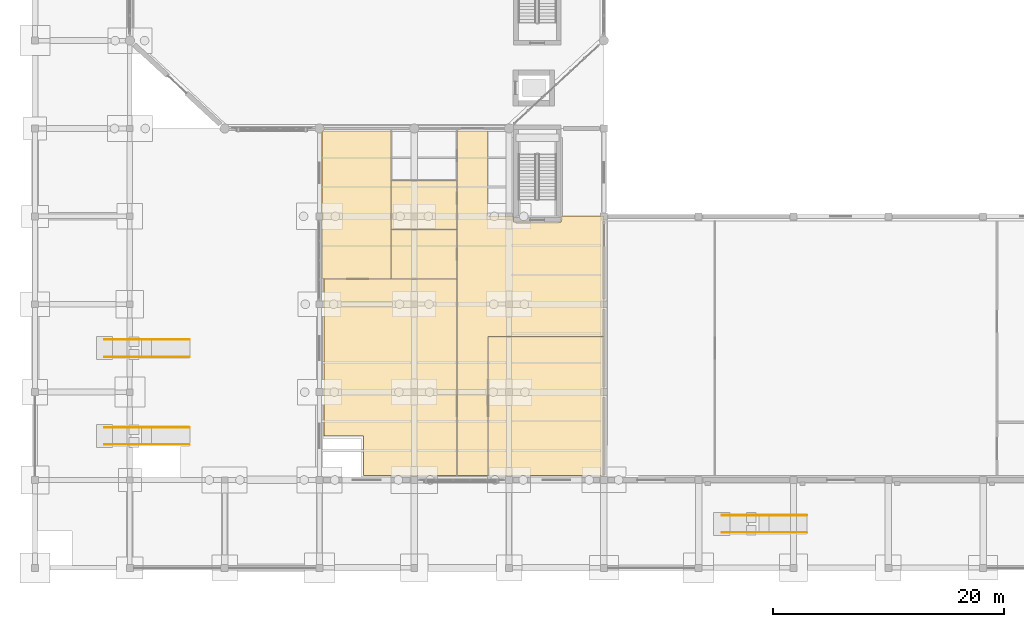
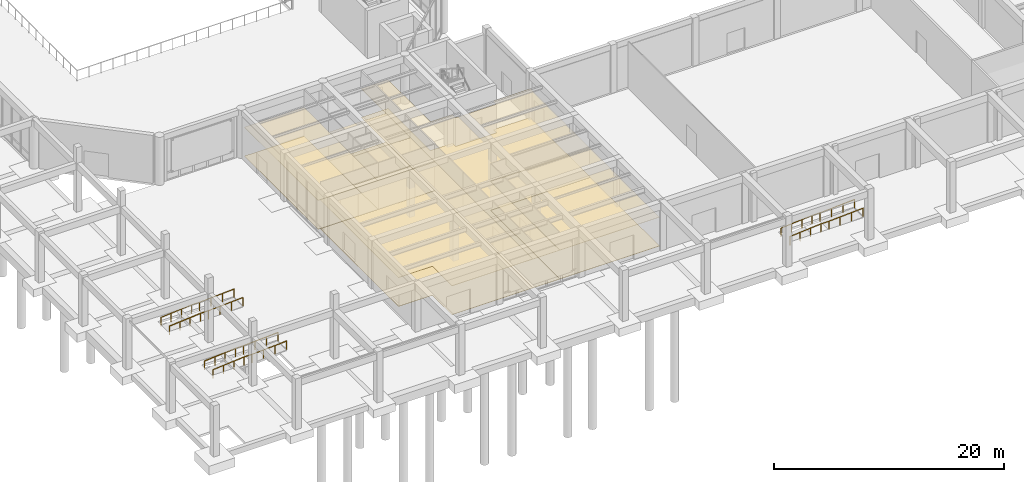
# One storey, part 53 of 64: 12 coverings, 6 railings.
"""IFC4 building model written with IfcOpenShell, lengths in metres."""

from ifc_helpers import new_model, si_unit, direction, frame, origin, origin_2d, place, context, subcontext, project, spatial, polyline, circle, outline, extrude, material, layer, layer_set, type_object, element, save


model = new_model("IFC4")

# Units and contexts
model_context = context("Model", 3, precision=1e-05, world=origin(), true_north=direction((0.0, 1.0)))
body_context = subcontext(model_context, "Body", "Model", "MODEL_VIEW")
ifc_project = project(units=[si_unit("LENGTHUNIT", "METRE"), si_unit("AREAUNIT", "SQUARE_METRE"), si_unit("VOLUMEUNIT", "CUBIC_METRE"), si_unit("PLANEANGLEUNIT", "RADIAN"), si_unit("MASSUNIT", "GRAM", prefix="KILO")], contexts=[model_context])

# Site, building, storey
site_placement = place(None, origin())
site = spatial("IfcSite", under=ifc_project, at=site_placement, CompositionType="ELEMENT")
building_placement = place(site_placement, origin())
building = spatial("IfcBuilding", under=site, at=building_placement, Name="Qandaris Square Conservatory and Botanical Centre", CompositionType="ELEMENT")
storey_placement = place(building_placement, origin())
storey = spatial("IfcBuildingStorey", under=building, at=storey_placement, Name="L00", CompositionType="ELEMENT", Elevation=0.0)

# Coverings
ifc_material_1 = material(Name="Honed Qatari Limestone", Category="masonry")
ifc_layer_1 = layer(ifc_material_1, 0.030029296875)
ifc_layer_set_1 = layer_set([ifc_layer_1], Name="Honed Qatari Limestone")
covering_type_1 = type_object("IfcCoveringType", Name="Honed Qatari Limestone Concourse Paving", PredefinedType="FLOORING", material=ifc_layer_set_1)
covering_1_placement = place(storey_placement, origin())
element("IfcCovering", 1, at=covering_1_placement, inside=storey, type_object=covering_type_1, Name="Visitor Centre Orientation Foyer Flooring", PredefinedType="FLOORING", context=body_context, shape_type="SweptSolid", body=[
    extrude(outline(polyline([(47.199951171875, 29.0), (47.199951171875, 17.0), (44.5, 17.0), (44.5, 29.0), (44.5, 39.449951171875), (44.5, 46.800048828125), (47.199951171875, 46.800048828125), (47.199951171875, 39.449951171875), (49.39990234375, 39.449951171875), (49.39990234375, 38.89990234375), (53.5, 38.89990234375), (53.5, 39.449951171875), (57.199951171875, 39.449951171875), (57.199951171875, 29.0), (47.199951171875, 29.0)])), origin(), (0.0, 0.0, 1.0), 0.030029296875),
])
covering_2_placement = place(storey_placement, origin())
element("IfcCovering", 2, at=covering_2_placement, inside=storey, type_object=covering_type_1, Name="Visitor Centre Welcome Hall and Ticketing Flooring", PredefinedType="FLOORING", context=body_context, shape_type="SweptSolid", body=[
    extrude(outline(polyline([(44.5, 17.0), (36.39990234375, 17.0), (36.39990234375, 20.39990234375), (33.0, 20.39990234375), (33.0, 34.0), (44.5, 34.0), (44.5, 17.0)])), origin(), (0.0, 0.0, 1.0), 0.030029296875),
])
covering_3_placement = place(storey_placement, origin())
element("IfcCovering", 3, at=covering_3_placement, inside=storey, type_object=covering_type_1, Name="Botanical Bookshop and Specimen Counter Flooring", PredefinedType="FLOORING", context=body_context, shape_type="SweptSolid", body=[
    extrude(outline(polyline([(47.199951171875, 29.0), (57.199951171875, 29.0), (57.199951171875, 17.0), (47.199951171875, 17.0), (47.199951171875, 29.0)])), origin(), (0.0, 0.0, 1.0), 0.030029296875),
])
covering_4_placement = place(storey_placement, origin())
element("IfcCovering", 4, at=covering_4_placement, inside=storey, type_object=covering_type_1, Name="Visitor First-Aid and Family Lounge Flooring", PredefinedType="FLOORING", context=body_context, shape_type="SweptSolid", body=[
    extrude(outline(polyline([(32.800048828125, 46.800048828125), (38.800048828125, 46.800048828125), (38.800048828125, 34.0), (32.800048828125, 34.0), (32.800048828125, 46.800048828125)])), origin(), (0.0, 0.0, 1.0), 0.030029296875),
])
ifc_material_2 = material(Name="Gypsum Plasterboard", Category="gypsum")
ifc_layer_2 = layer(ifc_material_2, 0.02490234375)
ifc_layer_set_2 = layer_set([ifc_layer_2], Name="Gypsum Plasterboard")
covering_type_2 = type_object("IfcCoveringType", Name="Perforated Acoustic Lab Ceiling Tile", PredefinedType="CEILING", material=ifc_layer_set_2)
covering_5_placement = place(storey_placement, frame((0.0, 0.0, 3.050048828125)))
element("IfcCovering", 5, at=covering_5_placement, inside=storey, type_object=covering_type_2, Name="Visitor Centre Orientation Foyer Ceiling", PredefinedType="CEILING", context=body_context, shape_type="SweptSolid", body=[
    extrude(outline(polyline([(47.199951171875, 29.0), (47.199951171875, 17.0), (44.5, 17.0), (44.5, 29.0), (44.5, 39.449951171875), (44.5, 46.800048828125), (47.199951171875, 46.800048828125), (47.199951171875, 39.449951171875), (49.39990234375, 39.449951171875), (49.39990234375, 38.89990234375), (53.5, 38.89990234375), (53.5, 39.449951171875), (57.199951171875, 39.449951171875), (57.199951171875, 29.0), (47.199951171875, 29.0)])), origin(), (0.0, 0.0, 1.0), 0.02490234375),
])
covering_6_placement = place(storey_placement, frame((0.0, 0.0, 3.050048828125)))
element("IfcCovering", 6, at=covering_6_placement, inside=storey, type_object=covering_type_2, Name="Visitor Accessible Restroom Ceiling", PredefinedType="CEILING", context=body_context, shape_type="SweptSolid", body=[
    extrude(outline(polyline([(38.800048828125, 38.25), (44.5, 38.25), (44.5, 34.0), (38.800048828125, 34.0), (38.800048828125, 38.25)])), origin(), (0.0, 0.0, 1.0), 0.02490234375),
])
covering_7_placement = place(storey_placement, frame((0.0, 0.0, 3.050048828125)))
element("IfcCovering", 7, at=covering_7_placement, inside=storey, type_object=covering_type_2, Name="Visitor Male Restroom Ceiling", PredefinedType="CEILING", context=body_context, shape_type="SweptSolid", body=[
    extrude(outline(polyline([(38.800048828125, 42.5), (44.5, 42.5), (44.5, 38.25), (38.800048828125, 38.25), (38.800048828125, 42.5)])), origin(), (0.0, 0.0, 1.0), 0.02490234375),
])
ifc_material_3 = material(Name="Epoxy Resin Screed", Category="finish")
ifc_layer_3 = layer(ifc_material_3, 0.014892578125)
ifc_layer_set_3 = layer_set([ifc_layer_3], Name="Epoxy Resin Screed")
covering_type_3 = type_object("IfcCoveringType", Name="Seamless Epoxy Laboratory Flooring", PredefinedType="FLOORING", material=ifc_layer_set_3)
covering_8_placement = place(storey_placement, origin())
element("IfcCovering", 8, at=covering_8_placement, inside=storey, type_object=covering_type_3, Name="Visitor Accessible Restroom Flooring", PredefinedType="FLOORING", context=body_context, shape_type="SweptSolid", body=[
    extrude(outline(polyline([(38.800048828125, 38.25), (44.5, 38.25), (44.5, 34.0), (38.800048828125, 34.0), (38.800048828125, 38.25)])), origin(), (0.0, 0.0, 1.0), 0.014892578125),
])
covering_9_placement = place(storey_placement, origin())
element("IfcCovering", 9, at=covering_9_placement, inside=storey, type_object=covering_type_3, Name="Visitor Male Restroom Flooring", PredefinedType="FLOORING", context=body_context, shape_type="SweptSolid", body=[
    extrude(outline(polyline([(38.800048828125, 42.5), (44.5, 42.5), (44.5, 38.25), (38.800048828125, 38.25), (38.800048828125, 42.5)])), origin(), (0.0, 0.0, 1.0), 0.014892578125),
])
ifc_material_4 = material(Name="Engineered Oak Timber", Category="wood")
ifc_layer_4 = layer(ifc_material_4, 0.0400390625)
ifc_layer_set_4 = layer_set([ifc_layer_4], Name="Engineered Oak Timber")
covering_type_4 = type_object("IfcCoveringType", Name="Slatted Oak Acoustic Gallery Ceiling", PredefinedType="CEILING", material=ifc_layer_set_4)
covering_10_placement = place(storey_placement, frame((0.0, 0.0, 3.050048828125)))
element("IfcCovering", 10, at=covering_10_placement, inside=storey, type_object=covering_type_4, Name="Visitor Centre Welcome Hall and Ticketing Ceiling", PredefinedType="CEILING", context=body_context, shape_type="SweptSolid", body=[
    extrude(outline(polyline([(44.5, 17.0), (36.39990234375, 17.0), (36.39990234375, 20.39990234375), (33.0, 20.39990234375), (33.0, 34.0), (44.5, 34.0), (44.5, 17.0)])), origin(), (0.0, 0.0, 1.0), 0.0400390625),
])
covering_11_placement = place(storey_placement, frame((0.0, 0.0, 3.050048828125)))
element("IfcCovering", 11, at=covering_11_placement, inside=storey, type_object=covering_type_4, Name="Botanical Bookshop and Specimen Counter Ceiling", PredefinedType="CEILING", context=body_context, shape_type="SweptSolid", body=[
    extrude(outline(polyline([(47.199951171875, 29.0), (57.199951171875, 29.0), (57.199951171875, 17.0), (47.199951171875, 17.0), (47.199951171875, 29.0)])), origin(), (0.0, 0.0, 1.0), 0.0400390625),
])
covering_12_placement = place(storey_placement, frame((0.0, 0.0, 3.050048828125)))
element("IfcCovering", 12, at=covering_12_placement, inside=storey, type_object=covering_type_4, Name="Visitor First-Aid and Family Lounge Ceiling", PredefinedType="CEILING", context=body_context, shape_type="SweptSolid", body=[
    extrude(outline(polyline([(32.800048828125, 46.800048828125), (38.800048828125, 46.800048828125), (38.800048828125, 34.0), (32.800048828125, 34.0), (32.800048828125, 46.800048828125)])), origin(), (0.0, 0.0, 1.0), 0.0400390625),
])

# Railings
ifc_material_5 = material(Name="Stainless Steel", Category="steel")
railing_type = type_object("IfcRailingType", Name="Stair Tubular Handrail 920mm", PredefinedType="HANDRAIL", material=ifc_material_5)
for number, where, name in (
    (13, (14.0, 19.64990234375, -0.449951171875), "RMP-01 Handrail 1"),
    (14, (14.0, 21.14990234375, -0.449951171875), "RMP-01 Handrail 2"),
    (15, (14.0, 27.25, -0.449951171875), "RMP-02 Handrail 1"),
    (16, (14.0, 28.75, -0.449951171875), "RMP-02 Handrail 2"),
):
    element("IfcRailing", number, at=place(storey_placement, frame(where)), inside=storey, type_object=railing_type, Name=name, PredefinedType="HANDRAIL", context=body_context, shape_type="SweptSolid", body=[
        extrude(circle(Radius=0.02392578125, at=origin_2d()), frame((0.0, 0.0, 0.89599609375), z_axis=(0.996501235833, 0.0, 0.083578029309), x_axis=(0.0, 1.0, 0.0)), (0.0, 0.0, 1.0), 3.111083984375),
        extrude(circle(Radius=0.02392578125, at=origin_2d()), frame((3.10009765625, 0.0, 1.15576171875), z_axis=(1.0, 0.0, 0.0), x_axis=(0.0, 1.0, 0.0)), (0.0, 0.0, 1.0), 0.7998046875),
        extrude(circle(Radius=0.02392578125, at=origin_2d()), frame((3.89990234375, 0.0, 1.15576171875), z_axis=(0.998488054535, 0.0, 0.054969127259), x_axis=(0.0, 1.0, 0.0)), (0.0, 0.0, 1.0), 3.455322265625),
        extrude(circle(Radius=0.02099609375, at=origin_2d()), origin(), (0.0, 0.0, 1.0), 0.871826171875),
        extrude(circle(Radius=0.02099609375, at=origin_2d()), frame((1.033447265625, 0.0, 0.086669921875)), (0.0, 0.0, 1.0), 0.871826171875),
        extrude(circle(Radius=0.02099609375, at=origin_2d()), frame((2.066650390625, 0.0, 0.17333984375)), (0.0, 0.0, 1.0), 0.871826171875),
        extrude(circle(Radius=0.02099609375, at=origin_2d()), frame((3.10009765625, 0.0, 0.260009765625)), (0.0, 0.0, 1.0), 0.871826171875),
        extrude(circle(Radius=0.02099609375, at=origin_2d()), frame((3.89990234375, 0.0, 0.260009765625)), (0.0, 0.0, 1.0), 0.871826171875),
        extrude(circle(Radius=0.02099609375, at=origin_2d()), frame((5.050048828125, 0.0, 0.3232421875)), (0.0, 0.0, 1.0), 0.871826171875),
        extrude(circle(Radius=0.02099609375, at=origin_2d()), frame((6.199951171875, 0.0, 0.38671875)), (0.0, 0.0, 1.0), 0.871826171875),
        extrude(circle(Radius=0.02099609375, at=origin_2d()), frame((7.35009765625, 0.0, 0.449951171875)), (0.0, 0.0, 1.0), 0.871826171875),
    ])
for number, where, name in (
    (17, (67.39990234375, 12.050048828125, -0.449951171875), "RMP-03 Handrail 1"),
    (18, (67.39990234375, 13.550048828125, -0.449951171875), "RMP-03 Handrail 2"),
):
    element("IfcRailing", number, at=place(storey_placement, frame(where)), inside=storey, type_object=railing_type, Name=name, PredefinedType="HANDRAIL", context=body_context, shape_type="SweptSolid", body=[
        extrude(circle(Radius=0.02392578125, at=origin_2d()), frame((0.0, 0.0, 0.89599609375), z_axis=(0.996501235833, 0.0, 0.083578029309), x_axis=(0.0, 1.0, 0.0)), (0.0, 0.0, 1.0), 3.111083984375),
        extrude(circle(Radius=0.02392578125, at=origin_2d()), frame((3.10009765625, 0.0, 1.15576171875), z_axis=(1.0, 0.0, 0.0), x_axis=(0.0, 1.0, 0.0)), (0.0, 0.0, 1.0), 0.800048828125),
        extrude(circle(Radius=0.02392578125, at=origin_2d()), frame((3.900146484375, 0.0, 1.15576171875), z_axis=(0.998487841022, 0.0, 0.054973005471), x_axis=(0.0, 1.0, 0.0)), (0.0, 0.0, 1.0), 3.455078125),
        extrude(circle(Radius=0.02099609375, at=origin_2d()), origin(), (0.0, 0.0, 1.0), 0.871826171875),
        extrude(circle(Radius=0.02099609375, at=origin_2d()), frame((1.033447265625, 0.0, 0.086669921875)), (0.0, 0.0, 1.0), 0.871826171875),
        extrude(circle(Radius=0.02099609375, at=origin_2d()), frame((2.066650390625, 0.0, 0.17333984375)), (0.0, 0.0, 1.0), 0.871826171875),
        extrude(circle(Radius=0.02099609375, at=origin_2d()), frame((3.10009765625, 0.0, 0.260009765625)), (0.0, 0.0, 1.0), 0.871826171875),
        extrude(circle(Radius=0.02099609375, at=origin_2d()), frame((3.900146484375, 0.0, 0.260009765625)), (0.0, 0.0, 1.0), 0.871826171875),
        extrude(circle(Radius=0.02099609375, at=origin_2d()), frame((5.050048828125, 0.0, 0.3232421875)), (0.0, 0.0, 1.0), 0.871826171875),
        extrude(circle(Radius=0.02099609375, at=origin_2d()), frame((6.2001953125, 0.0, 0.38671875)), (0.0, 0.0, 1.0), 0.871826171875),
        extrude(circle(Radius=0.02099609375, at=origin_2d()), frame((7.35009765625, 0.0, 0.449951171875)), (0.0, 0.0, 1.0), 0.871826171875),
    ])

save(model, "model.ifc")
